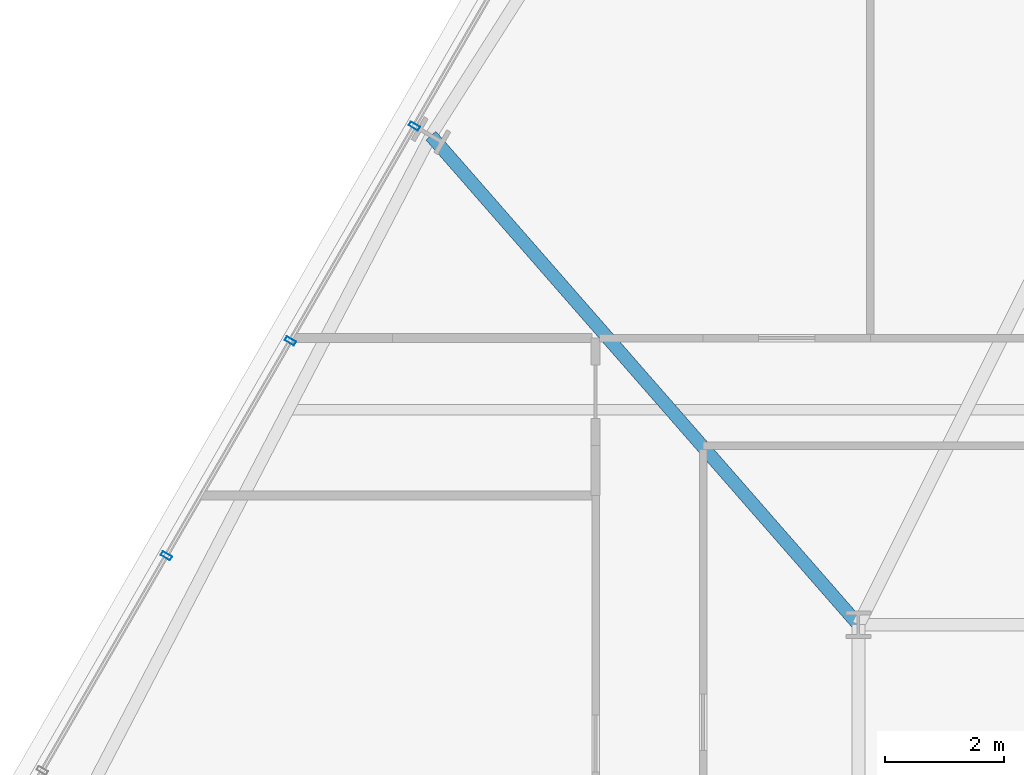
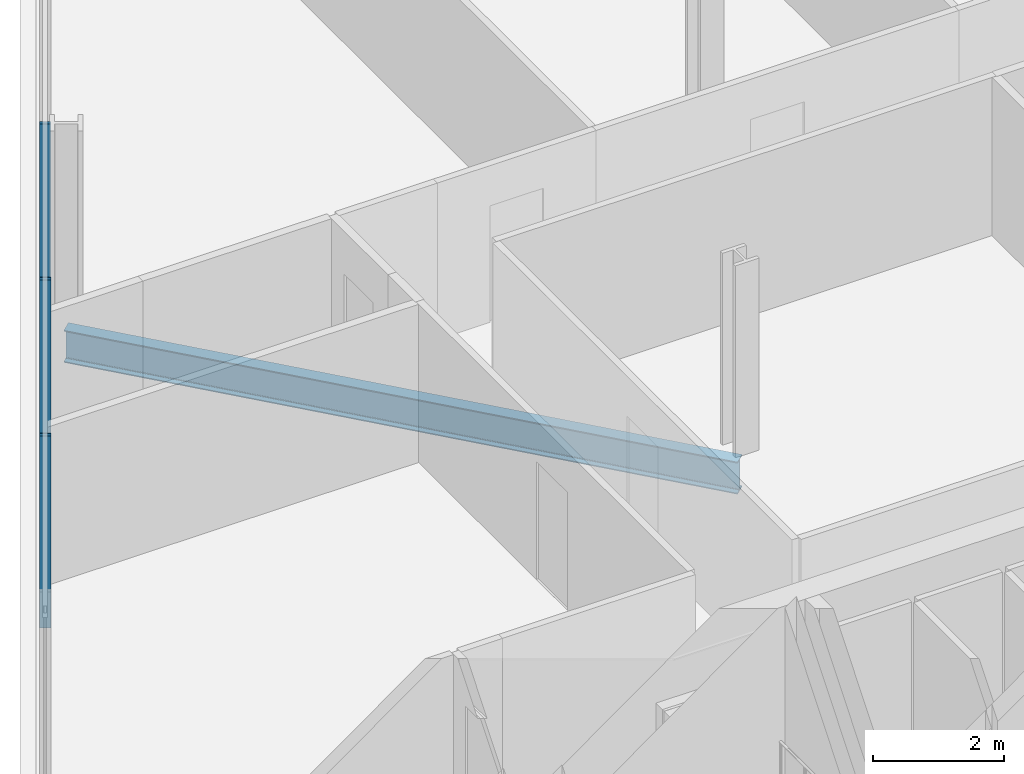
# One storey, part 13 of 32: 3 members, 1 beam, 1 element without a shape of its own.
"""IFC4 building model written with IfcOpenShell, lengths in metres."""

from ifc_helpers import new_model, si_unit, direction, frame, origin, origin_2d, place, context, subcontext, project, spatial, hollow_rectangle, i_section, extrude, material, layer, layer_set, material_profile, profile_set, type_object, element, aggregate, save


model = new_model("IFC4")

# Units and contexts
model_context = context("Model", 3, precision=1e-05, world=origin(), true_north=direction((0.0, 1.0)))
body_context = subcontext(model_context, "Body", "Model", "MODEL_VIEW")
ifc_project = project(units=[si_unit("LENGTHUNIT", "METRE"), si_unit("AREAUNIT", "SQUARE_METRE"), si_unit("VOLUMEUNIT", "CUBIC_METRE"), si_unit("PLANEANGLEUNIT", "RADIAN"), si_unit("MASSUNIT", "GRAM", prefix="KILO")], contexts=[model_context])

# Site, building, storey
site_placement = place(None, origin())
site = spatial("IfcSite", under=ifc_project, at=site_placement, CompositionType="ELEMENT")
building_placement = place(site_placement, origin())
building = spatial("IfcBuilding", under=site, at=building_placement, Name="Ndaravel Arena Tower", CompositionType="ELEMENT")
storey_placement = place(building_placement, frame((0.0, 0.0, 93.0)))
storey = spatial("IfcBuildingStorey", under=building, at=storey_placement, Name="L21", CompositionType="ELEMENT", Elevation=93.0)

# Beam
ifc_material_1 = material(Name="Steel S355", Category="steel")
ifc_material_profile_1 = material_profile(ifc_material_1, i_section(OverallWidth=0.219970703125, OverallDepth=0.60009765625, WebThickness=0.011962890625, FlangeThickness=0.01904296875, FilletRadius=0.02392578125, at=origin_2d()), Name="IPE 600")
ifc_profile_set_1 = profile_set([ifc_material_profile_1], Name="Steel S355")
beam_type = type_object("IfcBeamType", Name="BM-GIRD-IPE600", PredefinedType="BEAM", material=ifc_profile_set_1)
beam_placement = place(storey_placement, frame((27.04248046875, 31.387451171875, -0.52001953125), z_axis=(0.658161235983, -0.752877006854, 0.0), x_axis=(0.752877006854, 0.658161235983, 0.0)))
element("IfcBeam", 1, at=beam_placement, inside=storey, type_object=beam_type, Name="L21 Radial Floor Girder FG-19", PredefinedType="BEAM", context=body_context, shape_type="SweptSolid", body=[
    extrude(i_section(OverallWidth=0.219970703125, OverallDepth=0.60009765625, WebThickness=0.011962890625, FlangeThickness=0.01904296875, FilletRadius=0.02392578125, at=origin_2d()), origin(), (0.0, 0.0, 1.0), 10.875),
])

# Curtain wall, members
ifc_material_2 = material(Name="Aluminium", Category="aluminium")
ifc_layer = layer(ifc_material_2, 0.179931640625)
ifc_layer_set = layer_set([ifc_layer], Name="Aluminium")
curtain_wall_type = type_object("IfcCurtainWallType", Name="CW-SYS-03", PredefinedType="NOTDEFINED", material=ifc_layer_set)
curtain_wall_placement = place(storey_placement, origin())
curtain_wall = element("IfcCurtainWall", 2, at=curtain_wall_placement, inside=storey, type_object=curtain_wall_type, Name="L21 Faceted Crystal Curtain Wall CW-L21-E05", PredefinedType="NOTDEFINED")
ifc_material_3 = material(Name="Aluminium", Category="aluminium")
ifc_material_profile_2 = material_profile(ifc_material_3, hollow_rectangle(XDim=0.074951171875, YDim=0.179931640625, WallThickness=0.00390625, at=origin_2d()), Name="CW MULLION 75x180x4")
ifc_profile_set_2 = profile_set([ifc_material_profile_2], Name="Aluminium")
member_type = type_object("IfcMemberType", Name="MEM-CW-MUL180", PredefinedType="MULLION", material=ifc_profile_set_2)
member_1_placement = place(storey_placement, frame((26.76513671875, 31.54736328125, 0.0), z_axis=(0.0, 0.0, 1.0), x_axis=(-0.5, -0.866025403784, 0.0)))
member_1 = element("IfcMember", 3, at=member_1_placement, type_object=member_type, Name="CW-L21-E05 Mullion 04", PredefinedType="MULLION", context=body_context, shape_type="SweptSolid", body=[
    extrude(hollow_rectangle(XDim=0.074951171875, YDim=0.179931640625, WallThickness=0.00390625, at=origin_2d()), origin(), (0.0, 0.0, 1.0), 3.580078125),
])
member_2_placement = place(storey_placement, frame((24.688720703125, 27.95068359375, 0.0), z_axis=(0.0, 0.0, 1.0), x_axis=(-0.5, -0.866025403784, 0.0)))
member_2 = element("IfcMember", 4, at=member_2_placement, type_object=member_type, Name="CW-L21-E05 Mullion 05", PredefinedType="MULLION", context=body_context, shape_type="SweptSolid", body=[
    extrude(hollow_rectangle(XDim=0.074951171875, YDim=0.179931640625, WallThickness=0.00390625, at=origin_2d()), origin(), (0.0, 0.0, 1.0), 3.580078125),
])
member_3_placement = place(storey_placement, frame((22.6123046875, 24.35400390625, 0.0), z_axis=(0.0, 0.0, 1.0), x_axis=(-0.5, -0.866025403784, 0.0)))
member_3 = element("IfcMember", 5, at=member_3_placement, type_object=member_type, Name="CW-L21-E05 Mullion 06", PredefinedType="MULLION", context=body_context, shape_type="SweptSolid", body=[
    extrude(hollow_rectangle(XDim=0.074951171875, YDim=0.179931640625, WallThickness=0.00390625, at=origin_2d()), origin(), (0.0, 0.0, 1.0), 3.580078125),
])
aggregate(curtain_wall, [member_1, member_2, member_3])

save(model, "model.ifc")
